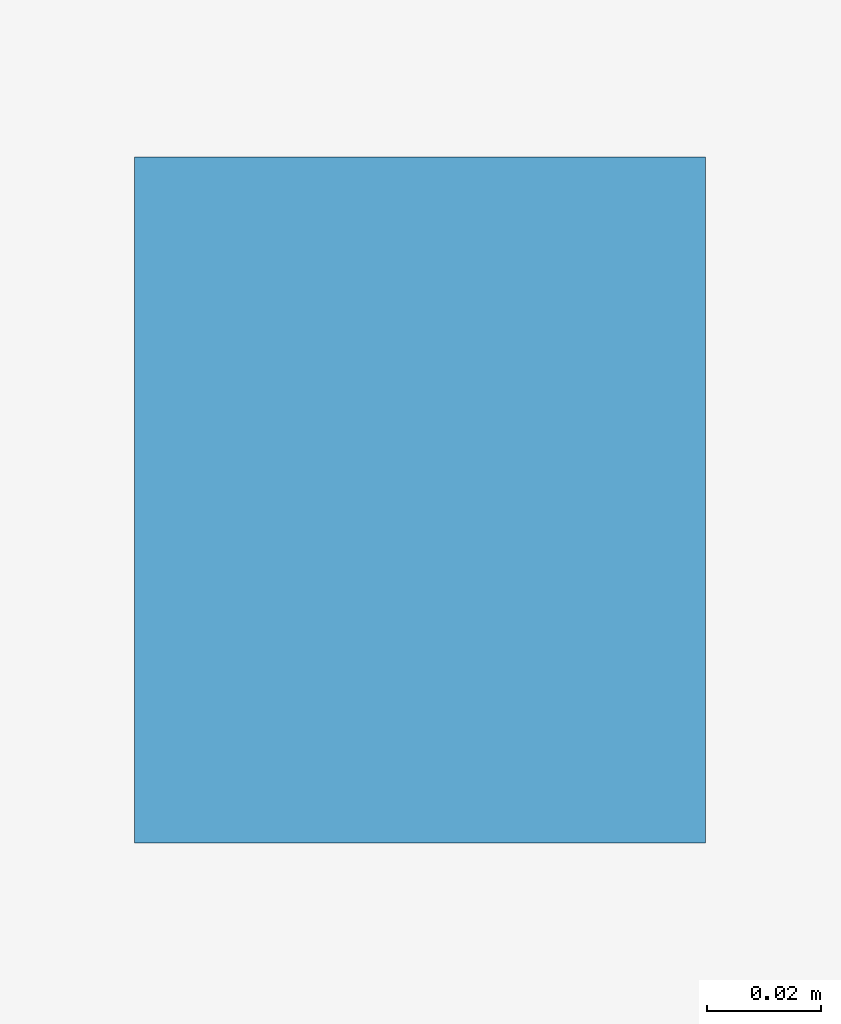
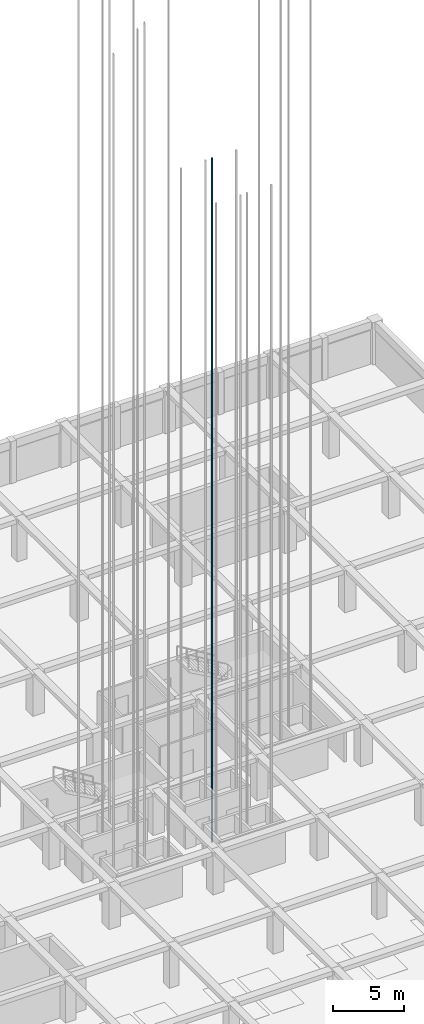
# One storey, part 39 of 47: 1 discrete accessory.
"""IFC4 building model written with IfcOpenShell, lengths in metres."""

from ifc_helpers import new_model, si_unit, direction, frame, origin, origin_2d, place, context, subcontext, project, spatial, rectangle, extrude, material, layer, layer_set, type_object, element, save


model = new_model("IFC4")

# Units and contexts
model_context = context("Model", 3, precision=1e-05, world=origin(), true_north=direction((0.0, 1.0)))
body_context = subcontext(model_context, "Body", "Model", "MODEL_VIEW")
ifc_project = project(units=[si_unit("LENGTHUNIT", "METRE"), si_unit("AREAUNIT", "SQUARE_METRE"), si_unit("VOLUMEUNIT", "CUBIC_METRE"), si_unit("PLANEANGLEUNIT", "RADIAN"), si_unit("MASSUNIT", "GRAM", prefix="KILO")], contexts=[model_context])

# Site, building, storey
site_placement = place(None, origin())
site = spatial("IfcSite", under=ifc_project, at=site_placement, CompositionType="ELEMENT")
building_placement = place(site_placement, origin())
building = spatial("IfcBuilding", under=site, at=building_placement, Name="Almacenes y Pasaje Nevantli", CompositionType="ELEMENT")
storey_placement = place(building_placement, frame((0.0, 0.0, -8.10009765625)))
storey = spatial("IfcBuildingStorey", under=building, at=storey_placement, Name="B02", CompositionType="ELEMENT", Elevation=-8.10009765625)

# Discrete accessory
ifc_material = material(Name="Steel ASTM A36", Category="steel")
ifc_layer = layer(ifc_material, 0.1201171875)
ifc_layer_set = layer_set([ifc_layer], Name="Steel ASTM A36")
discrete_accessory_type = type_object("IfcDiscreteAccessoryType", Name="ACC-LIFT-RAIL", PredefinedType="BRACKET", material=ifc_layer_set)
discrete_accessory_placement = place(storey_placement, frame((129.570068359375, 73.85009765625, -1.199951171875), z_axis=(0.0, 0.0, 1.0), x_axis=(1.0, 0.0, 0.0)))
element("IfcDiscreteAccessory", 1, at=discrete_accessory_placement, inside=storey, type_object=discrete_accessory_type, Name="Elevator Steel T-Section Guide Rail ELV-P04-W", PredefinedType="BRACKET", context=body_context, shape_type="SweptSolid", body=[
    extrude(rectangle(XDim=0.10009765625, YDim=0.1201171875, at=origin_2d()), origin(), (0.0, 0.0, 1.0), 58.5),
])

save(model, "model.ifc")
